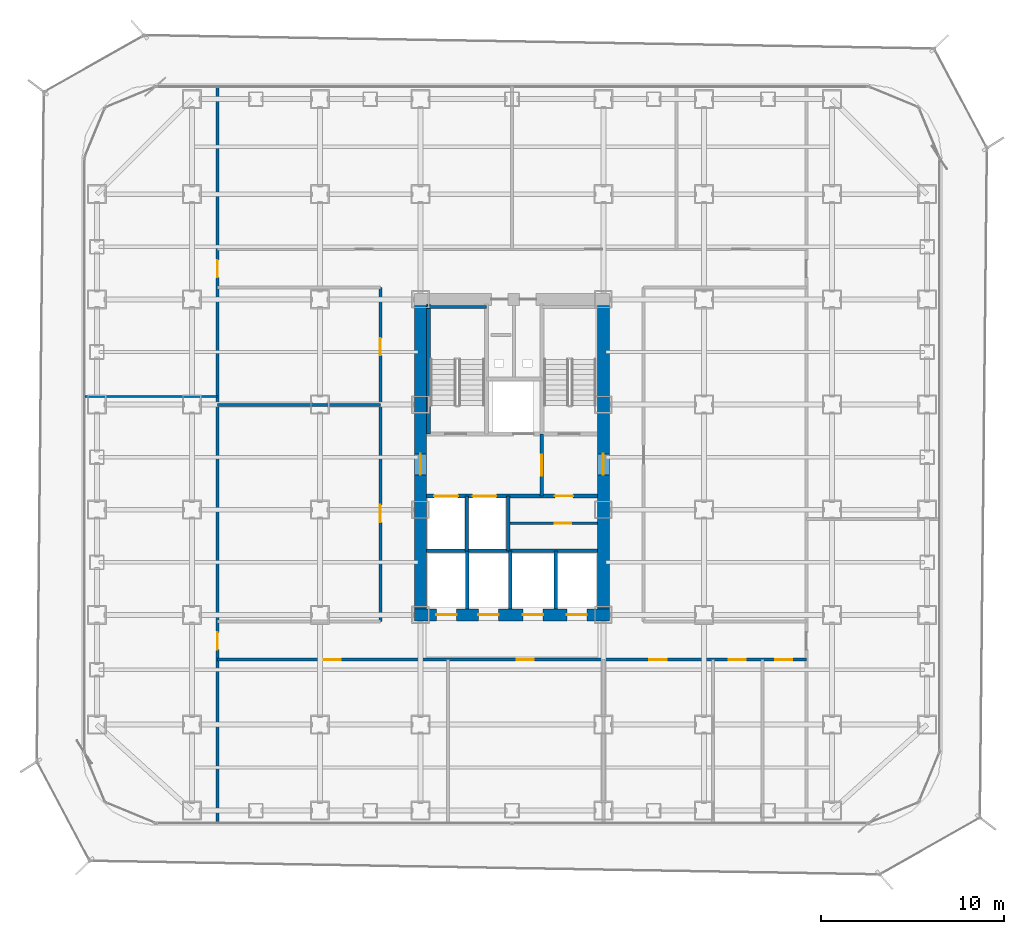
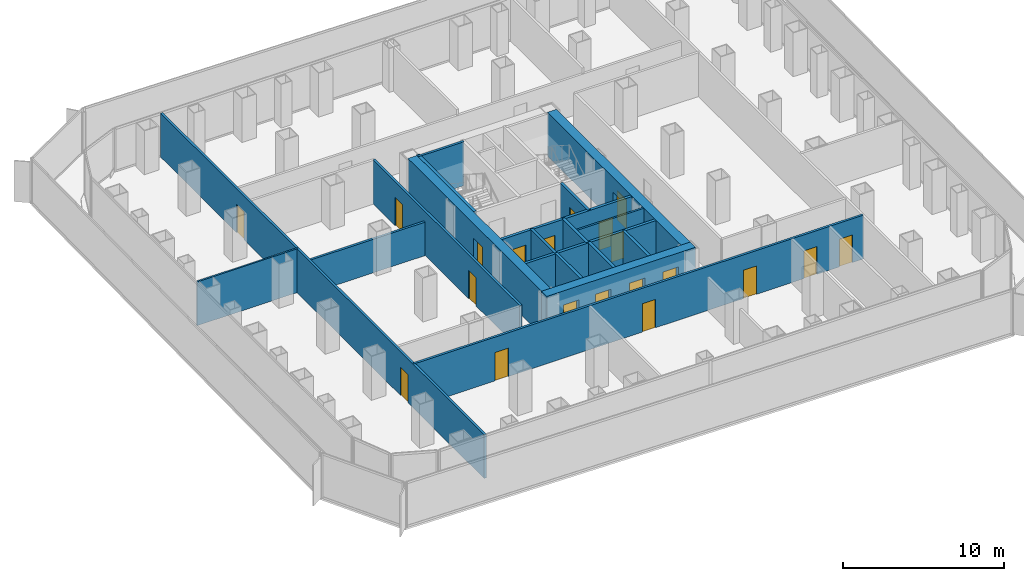
# One storey, part 17 of 21: 20 doors, 19 walls, 20 openings.
"""IFC4 building model written with IfcOpenShell, lengths in metres."""

import ifcopenshell
import ifcopenshell.guid

model = None  # the IFC model being written
_history = None  # IfcOwnerHistory: only IFC2X3 demands one
_inside = {}  # id of a spatial element -> (the spatial element, [elements in it])
_under = {}  # id of a project, library or spatial element -> (it, [spatial elements below it])
_declared = {}  # id of a project -> (the project, [libraries it declares])
_typed = {}  # id of a type object -> (the type object, [elements of that type])
_made_of = {}  # id of a material, layer set ... -> (it, [elements and type objects made of it])


def new_model(schema):
    """Start an empty IFC model of exactly this schema.

    Asked for "IFC4X3", IfcOpenShell would pick the latest addendum, in which some entities
    have other attributes; the version numbers below select the first issue.
    IFC2X3 requires an IfcOwnerHistory on every rooted entity: one is made here for all.
    """
    global model, _history
    if schema == "IFC4X3":
        model = ifcopenshell.file(schema_version=(4, 3, 0, 0))
    else:
        model = ifcopenshell.file(schema=schema)
    _inside.clear()
    _under.clear()
    _declared.clear()
    _typed.clear()
    _made_of.clear()
    _history = None
    if model.schema == "IFC2X3":
        org = make("IfcOrganization", Name="unknown")
        user = make(
            "IfcPersonAndOrganization",
            ThePerson=make("IfcPerson", FamilyName="unknown"),
            TheOrganization=org,
        )
        app = make(
            "IfcApplication",
            ApplicationDeveloper=org,
            Version="unknown",
            ApplicationFullName="unknown",
            ApplicationIdentifier="unknown",
        )
        _history = make(
            "IfcOwnerHistory",
            OwningUser=user,
            OwningApplication=app,
            ChangeAction="ADDED",
            CreationDate=0,
        )
    return model


def make(cls, **values):
    """One entity of the class cls with the attributes given. An attribute that is None is left unset."""
    return model.create_entity(
        cls, **{name: value for name, value in values.items() if value is not None}
    )


def rooted(cls, **values):
    """An entity with a GlobalId (a new one), such as an element, a storey or a relation."""
    return make(cls, GlobalId=ifcopenshell.guid.new(), OwnerHistory=_history, **values)


def si_unit(unit_type, name, prefix=None):
    """IfcSIUnit, for example si_unit("LENGTHUNIT", "METRE", prefix="MILLI")."""
    return make("IfcSIUnit", UnitType=unit_type, Prefix=prefix, Name=name)


def assignment(units):
    """IfcUnitAssignment: the units of a project."""
    return None if units is None else make("IfcUnitAssignment", Units=units)


def point(xyz):
    """IfcCartesianPoint."""
    return None if xyz is None else make("IfcCartesianPoint", Coordinates=xyz)


def direction(xyz):
    """IfcDirection."""
    return None if xyz is None else make("IfcDirection", DirectionRatios=xyz)


def frame(location, z_axis=None, x_axis=None):
    """IfcAxis2Placement3D, a coordinate frame: its origin and axes. An axis left out is left unset."""
    return make(
        "IfcAxis2Placement3D",
        Location=point(location),
        Axis=direction(z_axis),
        RefDirection=direction(x_axis),
    )


def frame_2d(location, x_axis=None):
    """IfcAxis2Placement2D, a coordinate frame in the plane: its origin and x axis."""
    return make(
        "IfcAxis2Placement2D", Location=point(location), RefDirection=direction(x_axis)
    )


def origin():
    """The frame at (0, 0, 0) with its axes left unset."""
    return frame((0.0, 0.0, 0.0))


def place(relative_to, where):
    """IfcLocalPlacement: puts the frame where relative to a parent placement (None: the world)."""
    return make(
        "IfcLocalPlacement", PlacementRelTo=relative_to, RelativePlacement=where
    )


def context(
    kind, dimensions, precision=None, world=None, true_north=None, identifier=None
):
    """IfcGeometricRepresentationContext, for example the 3D "Model" context."""
    return make(
        "IfcGeometricRepresentationContext",
        ContextIdentifier=identifier,
        ContextType=kind,
        CoordinateSpaceDimension=dimensions,
        Precision=precision,
        WorldCoordinateSystem=world,
        TrueNorth=true_north,
    )


def subcontext(parent, identifier, kind, view, scale=None):
    """IfcGeometricRepresentationSubContext, for example "Body" below "Model"."""
    return make(
        "IfcGeometricRepresentationSubContext",
        ContextIdentifier=identifier,
        ContextType=kind,
        ParentContext=parent,
        TargetScale=scale,
        TargetView=view,
    )


def project(units=None, contexts=None):
    """IfcProject with its units and contexts."""
    return rooted(
        "IfcProject",
        Name="project",
        RepresentationContexts=contexts,
        UnitsInContext=assignment(units),
    )


def spatial(cls, under=None, at=None, **own):
    """A site, building, storey or space (cls), placed at a placement, below another one or the project."""
    s = rooted(cls, ObjectPlacement=at, **own)
    if under is not None:
        _under.setdefault(under.id(), (under, []))[1].append(s)
    return s


def profile(cls, at=None, kind="AREA", **sizes):
    """A parametric profile (cls). Its sizes go by their IFC names, for example OverallWidth=200.0."""
    return make(cls, ProfileType=kind, Position=at, **sizes)


def rectangle(**sizes):
    """IfcRectangleProfileDef."""
    return profile("IfcRectangleProfileDef", **sizes)


def extrude(swept, where, along, depth):
    """IfcExtrudedAreaSolid: the profile swept, set in the frame where, extruded along a direction by depth."""
    return make(
        "IfcExtrudedAreaSolid",
        SweptArea=swept,
        Position=where,
        ExtrudedDirection=direction(along),
        Depth=depth,
    )


def shape(context_of_items, identifier, shape_type, items):
    """IfcShapeRepresentation: the items that make up one representation, for example the "Body"."""
    return make(
        "IfcShapeRepresentation",
        ContextOfItems=context_of_items,
        RepresentationIdentifier=identifier,
        RepresentationType=shape_type,
        Items=items,
    )


def material(Name=None, Category=None):
    """IfcMaterial."""
    return make("IfcMaterial", Name=Name, Category=Category)


def layer(
    of_material, thickness, ventilated=None, Name=None, Category=None, Priority=None
):
    """IfcMaterialLayer: one layer of a wall or slab, of a material (None: an air gap)."""
    return make(
        "IfcMaterialLayer",
        Material=of_material,
        LayerThickness=thickness,
        IsVentilated=ventilated,
        Name=Name,
        Category=Category,
        Priority=Priority,
    )


def layer_set(layers, Name=None):
    """IfcMaterialLayerSet."""
    return make("IfcMaterialLayerSet", MaterialLayers=layers, LayerSetName=Name)


def made_of(thing, what):
    """Note that an element or type object is made of a material, layer set ...; save() writes the relation."""
    if what is not None:
        _made_of.setdefault(what.id(), (what, []))[1].append(thing)
    return thing


def type_object(cls, material=None, **own):
    """A type object (cls), such as IfcWallType, which elements share."""
    return made_of(rooted(cls, **own), material)


def element(
    cls,
    number,
    at=None,
    inside=None,
    cuts=None,
    type_object=None,
    material=None,
    context=None,
    identifier="Body",
    shape_type=None,
    held_by="IfcProductDefinitionShape",
    body=None,
    shapes=None,
    **own,
):
    """One element of the class cls, such as IfcWall. Its Tag is "e" and its number.

    at: its placement. inside: the storey or other place that contains it. cuts: it is an
    opening in that element (IfcRelVoidsElement). A single representation is given by context,
    identifier, shape_type and body (its items); several are given by shapes. held_by: the class
    of the entity that holds the representations. save() writes the other relations.
    """
    e = rooted(cls, Tag="e%d" % number, ObjectPlacement=at, **own)
    if body is not None:
        shapes = [shape(context, identifier, shape_type, body)]
    if shapes is not None:
        e.Representation = make(held_by, Representations=shapes)
    if inside is not None:
        _inside.setdefault(inside.id(), (inside, []))[1].append(e)
    if cuts is not None:
        rooted(
            "IfcRelVoidsElement", RelatingBuildingElement=cuts, RelatedOpeningElement=e
        )
    if type_object is not None:
        _typed.setdefault(type_object.id(), (type_object, []))[1].append(e)
    return made_of(e, material)


def fill(opening, filler):
    """IfcRelFillsElement: the door or window that sits in an opening."""
    return rooted(
        "IfcRelFillsElement",
        RelatingOpeningElement=opening,
        RelatedBuildingElement=filler,
    )


def aggregate(whole, parts):
    """IfcRelAggregates: a whole, such as a stair, and the parts it consists of."""
    return rooted("IfcRelAggregates", RelatingObject=whole, RelatedObjects=parts)


def save(model, path):
    """Write the relations noted so far, then the file.

    IfcRelAggregates (storeys below a building ...), IfcRelContainedInSpatialStructure (elements
    in a storey), IfcRelDefinesByType, IfcRelAssociatesMaterial and IfcRelDeclares: one each for
    every whole, place, type object, material and project.
    """
    for whole, parts in _under.values():
        aggregate(whole, parts)
    for where, things in _inside.values():
        rooted(
            "IfcRelContainedInSpatialStructure",
            RelatedElements=things,
            RelatingStructure=where,
        )
    for kind, things in _typed.values():
        rooted("IfcRelDefinesByType", RelatedObjects=things, RelatingType=kind)
    for what, things in _made_of.values():
        rooted("IfcRelAssociatesMaterial", RelatedObjects=things, RelatingMaterial=what)
    for by, libraries in _declared.values():
        rooted("IfcRelDeclares", RelatingContext=by, RelatedDefinitions=libraries)
    model.write(path)


model = new_model("IFC4")

# Units and contexts
model_context = context("Model", 3, precision=1e-05, world=origin(), true_north=direction((0.0, 1.0)))
body_context = subcontext(model_context, "Body", "Model", "MODEL_VIEW")
ifc_project = project(units=[si_unit("LENGTHUNIT", "METRE"), si_unit("AREAUNIT", "SQUARE_METRE"), si_unit("VOLUMEUNIT", "CUBIC_METRE"), si_unit("PLANEANGLEUNIT", "RADIAN"), si_unit("MASSUNIT", "GRAM", prefix="KILO")], contexts=[model_context])

# Site, building, storey
site_placement = place(None, origin())
site = spatial("IfcSite", under=ifc_project, at=site_placement, CompositionType="ELEMENT")
building_placement = place(site_placement, origin())
building = spatial("IfcBuilding", under=site, at=building_placement, Name="Kolveth Station Tower", CompositionType="ELEMENT")
storey_placement = place(building_placement, frame((0.0, 0.0, 40.5)))
storey = spatial("IfcBuildingStorey", under=building, at=storey_placement, Name="L10", CompositionType="ELEMENT", Elevation=40.5)

# Wall, openings, doors
ifc_material_1 = material(Name="Concrete C60/75", Category="concrete")
ifc_layer_1 = layer(ifc_material_1, 0.64990234375)
ifc_layer_set_1 = layer_set([ifc_layer_1], Name="Concrete C60/75")
wall_type_1 = type_object("IfcWallType", Name="Wall_CW-650", PredefinedType="SHEAR", material=ifc_layer_set_1)
wall_1_placement = place(storey_placement, frame((18.175048828125, 11.5, 0.0), z_axis=(0.0, 0.0, 1.0), x_axis=(1.0, 0.0, 0.0)))
wall_1 = element("IfcWall", 1, at=wall_1_placement, inside=storey, type_object=wall_type_1, Name="L10 Core RC Shear Wall S", PredefinedType="SHEAR", context=body_context, shape_type="SweptSolid", body=[
    extrude(rectangle(XDim=10.64990234375, YDim=0.64990234375, at=frame_2d((5.324951171875, 0.0))), origin(), (0.0, 0.0, 1.0), 3.320068359375),
])
opening_1_placement = place(wall_1_placement, frame((1.195068359375, 0.0, 0.0)))
opening_1 = element("IfcOpeningElement", 2, at=opening_1_placement, cuts=wall_1, Name="Opening LD1", PredefinedType="OPENING", context=body_context, shape_type="SweptSolid", body=[
    extrude(rectangle(XDim=1.10009765625, YDim=2.25, at=frame_2d((0.550048828125, 1.125))), frame((0.0, 0.3349609375, 0.0), z_axis=(0.0, -1.0, 0.0), x_axis=(1.0, 0.0, 0.0)), (0.0, 0.0, 1.0), 0.669921875),
])
opening_2_placement = place(wall_1_placement, frame((3.4951171875, 0.0, 0.0)))
opening_2 = element("IfcOpeningElement", 3, at=opening_2_placement, cuts=wall_1, Name="Opening LD1", PredefinedType="OPENING", context=body_context, shape_type="SweptSolid", body=[
    extrude(rectangle(XDim=1.10009765625, YDim=2.25, at=frame_2d((0.550048828125, 1.125))), frame((0.0, 0.3349609375, 0.0), z_axis=(0.0, -1.0, 0.0), x_axis=(1.0, 0.0, 0.0)), (0.0, 0.0, 1.0), 0.669921875),
])
opening_3_placement = place(wall_1_placement, frame((5.925048828125, 0.0, 0.0)))
opening_3 = element("IfcOpeningElement", 4, at=opening_3_placement, cuts=wall_1, Name="Opening LD1", PredefinedType="OPENING", context=body_context, shape_type="SweptSolid", body=[
    extrude(rectangle(XDim=1.10009765625, YDim=2.25, at=frame_2d((0.550048828125, 1.125))), frame((0.0, 0.3349609375, 0.0), z_axis=(0.0, -1.0, 0.0), x_axis=(1.0, 0.0, 0.0)), (0.0, 0.0, 1.0), 0.669921875),
])
opening_4_placement = place(wall_1_placement, frame((8.324951171875, 0.0, 0.0)))
opening_4 = element("IfcOpeningElement", 5, at=opening_4_placement, cuts=wall_1, Name="Opening LD1", PredefinedType="OPENING", context=body_context, shape_type="SweptSolid", body=[
    extrude(rectangle(XDim=1.10009765625, YDim=2.25, at=frame_2d((0.550048828125, 1.125))), frame((0.0, 0.3349609375, 0.0), z_axis=(0.0, -1.0, 0.0), x_axis=(1.0, 0.0, 0.0)), (0.0, 0.0, 1.0), 0.669921875),
])
ifc_material_2 = material(Name="Brushed stainless steel sliding landing doors", Category="steel")
door_type_1 = type_object("IfcDoorType", Name="Door_LD1", OperationType="NOTDEFINED", PredefinedType="DOOR", material=ifc_material_2)
door_1_placement = place(opening_1_placement, frame((1.10009765625, 0.0, 0.0), z_axis=(0.0, 0.0, 1.0), x_axis=(-1.0, 0.0, 0.0)))
door_1 = element("IfcDoor", 6, at=door_1_placement, inside=storey, type_object=door_type_1, Name="L10 Lift PL1 Landing Door", OperationType="DOUBLE_DOOR_SLIDING", OverallHeight=2.25, OverallWidth=1.10009765625, PredefinedType="DOOR", context=body_context, shape_type="SweptSolid", body=[
    extrude(rectangle(XDim=1.10009765625, YDim=2.25, at=frame_2d((0.550048828125, 1.125))), frame((0.0, 0.02490234375, 0.0), z_axis=(0.0, -1.0, 0.0), x_axis=(1.0, 0.0, 0.0)), (0.0, 0.0, 1.0), 0.050048828125),
])
fill(opening_1, door_1)
door_2_placement = place(opening_2_placement, frame((1.10009765625, 0.0, 0.0), z_axis=(0.0, 0.0, 1.0), x_axis=(-1.0, 0.0, 0.0)))
door_2 = element("IfcDoor", 7, at=door_2_placement, inside=storey, type_object=door_type_1, Name="L10 Lift PL2 Landing Door", OperationType="DOUBLE_DOOR_SLIDING", OverallHeight=2.25, OverallWidth=1.10009765625, PredefinedType="DOOR", context=body_context, shape_type="SweptSolid", body=[
    extrude(rectangle(XDim=1.10009765625, YDim=2.25, at=frame_2d((0.550048828125, 1.125))), frame((0.0, 0.02490234375, 0.0), z_axis=(0.0, -1.0, 0.0), x_axis=(1.0, 0.0, 0.0)), (0.0, 0.0, 1.0), 0.050048828125),
])
fill(opening_2, door_2)
door_3_placement = place(opening_3_placement, frame((1.10009765625, 0.0, 0.0), z_axis=(0.0, 0.0, 1.0), x_axis=(-1.0, 0.0, 0.0)))
door_3 = element("IfcDoor", 8, at=door_3_placement, inside=storey, type_object=door_type_1, Name="L10 Lift PM1 Landing Door", OperationType="DOUBLE_DOOR_SLIDING", OverallHeight=2.25, OverallWidth=1.10009765625, PredefinedType="DOOR", context=body_context, shape_type="SweptSolid", body=[
    extrude(rectangle(XDim=1.10009765625, YDim=2.25, at=frame_2d((0.550048828125, 1.125))), frame((0.0, 0.02490234375, 0.0), z_axis=(0.0, -1.0, 0.0), x_axis=(1.0, 0.0, 0.0)), (0.0, 0.0, 1.0), 0.050048828125),
])
fill(opening_3, door_3)
door_4_placement = place(opening_4_placement, frame((1.10009765625, 0.0, 0.0), z_axis=(0.0, 0.0, 1.0), x_axis=(-1.0, 0.0, 0.0)))
door_4 = element("IfcDoor", 9, at=door_4_placement, inside=storey, type_object=door_type_1, Name="L10 Lift PH1 Landing Door", OperationType="DOUBLE_DOOR_SLIDING", OverallHeight=2.25, OverallWidth=1.10009765625, PredefinedType="DOOR", context=body_context, shape_type="SweptSolid", body=[
    extrude(rectangle(XDim=1.10009765625, YDim=2.25, at=frame_2d((0.550048828125, 1.125))), frame((0.0, 0.02490234375, 0.0), z_axis=(0.0, -1.0, 0.0), x_axis=(1.0, 0.0, 0.0)), (0.0, 0.0, 1.0), 0.050048828125),
])
fill(opening_4, door_4)

# Wall, opening, door
wall_2_placement = place(storey_placement, frame((18.5, 11.824951171875, 0.0), z_axis=(0.0, 0.0, 1.0), x_axis=(0.0, 1.0, 0.0)))
wall_2 = element("IfcWall", 10, at=wall_2_placement, inside=storey, type_object=wall_type_1, Name="L10 Core RC Shear Wall W", PredefinedType="SHEAR", context=body_context, shape_type="SweptSolid", body=[
    extrude(rectangle(XDim=16.60009765625, YDim=0.64990234375, at=frame_2d((8.300048828125, 0.0))), origin(), (0.0, 0.0, 1.0), 3.320068359375),
])
opening_5_placement = place(wall_2_placement, frame((7.324951171875, 0.0, 0.0)))
opening_5 = element("IfcOpeningElement", 11, at=opening_5_placement, cuts=wall_2, Name="Opening FD1", PredefinedType="OPENING", context=body_context, shape_type="SweptSolid", body=[
    extrude(rectangle(XDim=1.14990234375, YDim=2.199951171875, at=frame_2d((0.574951171875, 1.10009765625))), frame((0.0, 0.3349609375, 0.0), z_axis=(0.0, -1.0, 0.0), x_axis=(1.0, 0.0, 0.0)), (0.0, 0.0, 1.0), 0.669921875),
])
ifc_material_3 = material(Name="Fire-rated Steel S355 leaf and frame", Category="steel")
door_type_2 = type_object("IfcDoorType", Name="Door_FD1", OperationType="NOTDEFINED", PredefinedType="DOOR", material=ifc_material_3)
door_5_placement = place(opening_5_placement, frame((1.14990234375, 0.0, 0.0), z_axis=(0.0, 0.0, 1.0), x_axis=(-1.0, 0.0, 0.0)))
door_5 = element("IfcDoor", 12, at=door_5_placement, inside=storey, type_object=door_type_2, Name="L10 West Corridor to Firefighting Lobby Door", OperationType="SINGLE_SWING_LEFT", OverallHeight=2.199951171875, OverallWidth=1.14990234375, PredefinedType="DOOR", context=body_context, shape_type="SweptSolid", body=[
    extrude(rectangle(XDim=1.14990234375, YDim=2.199951171875, at=frame_2d((0.574951171875, 1.10009765625))), frame((0.0, 0.02490234375, 0.0), z_axis=(0.0, -1.0, 0.0), x_axis=(1.0, 0.0, 0.0)), (0.0, 0.0, 1.0), 0.050048828125),
])
fill(opening_5, door_5)

wall_3_placement = place(storey_placement, frame((28.5, 11.824951171875, 0.0), z_axis=(0.0, 0.0, 1.0), x_axis=(0.0, 1.0, 0.0)))
wall_3 = element("IfcWall", 13, at=wall_3_placement, inside=storey, type_object=wall_type_1, Name="L10 Core RC Shear Wall E", PredefinedType="SHEAR", context=body_context, shape_type="SweptSolid", body=[
    extrude(rectangle(XDim=16.60009765625, YDim=0.64990234375, at=frame_2d((8.300048828125, 0.0))), origin(), (0.0, 0.0, 1.0), 3.320068359375),
])
opening_6_placement = place(wall_3_placement, frame((7.324951171875, 0.0, 0.0)))
opening_6 = element("IfcOpeningElement", 14, at=opening_6_placement, cuts=wall_3, Name="Opening FD1", PredefinedType="OPENING", context=body_context, shape_type="SweptSolid", body=[
    extrude(rectangle(XDim=1.14990234375, YDim=2.199951171875, at=frame_2d((0.574951171875, 1.10009765625))), frame((0.0, 0.3349609375, 0.0), z_axis=(0.0, -1.0, 0.0), x_axis=(1.0, 0.0, 0.0)), (0.0, 0.0, 1.0), 0.669921875),
])
door_6_placement = place(opening_6_placement, origin())
door_6 = element("IfcDoor", 15, at=door_6_placement, inside=storey, type_object=door_type_2, Name="L10 East Corridor to Stair Lobby Door", OperationType="SINGLE_SWING_LEFT", OverallHeight=2.199951171875, OverallWidth=1.14990234375, PredefinedType="DOOR", context=body_context, shape_type="SweptSolid", body=[
    extrude(rectangle(XDim=1.14990234375, YDim=2.199951171875, at=frame_2d((0.574951171875, 1.10009765625))), frame((0.0, 0.02490234375, 0.0), z_axis=(0.0, -1.0, 0.0), x_axis=(1.0, 0.0, 0.0)), (0.0, 0.0, 1.0), 0.050048828125),
])
fill(opening_6, door_6)

# Wall
ifc_material_4 = material(Name="Framed gypsum partition")
ifc_layer_2 = layer(ifc_material_4, 0.114990234375)
ifc_layer_set_2 = layer_set([ifc_layer_2], Name="Framed gypsum partition")
wall_type_2 = type_object("IfcWallType", Name="Wall_IW-115", PredefinedType="PARTITIONING", material=ifc_layer_set_2)
wall_4_placement = place(storey_placement, frame((0.159912109375, 23.449951171875, 0.0), z_axis=(0.0, 0.0, 1.0), x_axis=(1.0, 0.0, 0.0)))
element("IfcWall", 16, at=wall_4_placement, inside=storey, type_object=wall_type_2, Name="L10 Partition Wall WL-L10-OWM", PredefinedType="PARTITIONING", context=body_context, shape_type="SweptSolid", body=[
    extrude(rectangle(XDim=7.239990234375, YDim=0.114990234375, at=frame_2d((3.6201171875, 0.0))), origin(), (0.0, 0.0, 1.0), 3.320068359375),
])

# Wall, opening, door
ifc_material_5 = material(Name="Moisture-resistant gypsum partition")
ifc_layer_3 = layer(ifc_material_5, 0.135009765625)
ifc_layer_set_3 = layer_set([ifc_layer_3], Name="Moisture-resistant gypsum partition")
wall_type_3 = type_object("IfcWallType", Name="Wall_IW-135", PredefinedType="PARTITIONING", material=ifc_layer_set_3)
wall_5_placement = place(storey_placement, frame((23.300048828125, 16.5, 0.0), z_axis=(0.0, 0.0, 1.0), x_axis=(1.0, 0.0, 0.0)))
wall_5 = element("IfcWall", 17, at=wall_5_placement, inside=storey, type_object=wall_type_3, Name="L10 Partition Wall WL-L10-CB-H1", PredefinedType="PARTITIONING", context=body_context, shape_type="SweptSolid", body=[
    extrude(rectangle(XDim=4.864990234375, YDim=0.135009765625, at=frame_2d((2.4326171875, 0.0))), origin(), (0.0, 0.0, 1.0), 3.320068359375),
])
opening_7_placement = place(wall_5_placement, frame((2.550048828125, 0.0, 0.0)))
opening_7 = element("IfcOpeningElement", 18, at=opening_7_placement, cuts=wall_5, Name="Opening RD1", PredefinedType="OPENING", context=body_context, shape_type="SweptSolid", body=[
    extrude(rectangle(XDim=0.89990234375, YDim=2.050048828125, at=frame_2d((0.449951171875, 1.02490234375))), frame((0.0, 0.077392578125, 0.0), z_axis=(0.0, -1.0, 0.0), x_axis=(1.0, 0.0, 0.0)), (0.0, 0.0, 1.0), 0.155029296875),
])
ifc_material_6 = material(Name="Fire-rated Steel S355 riser access leaf", Category="steel")
door_type_3 = type_object("IfcDoorType", Name="Door_RD1", OperationType="NOTDEFINED", PredefinedType="DOOR", material=ifc_material_6)
door_7_placement = place(opening_7_placement, frame((0.89990234375, 0.0, 0.0), z_axis=(0.0, 0.0, 1.0), x_axis=(-1.0, 0.0, 0.0)))
door_7 = element("IfcDoor", 19, at=door_7_placement, inside=storey, type_object=door_type_3, Name="L10 Core Equipment Store Door", OperationType="SINGLE_SWING_LEFT", OverallHeight=2.050048828125, OverallWidth=0.89990234375, PredefinedType="DOOR", context=body_context, shape_type="SweptSolid", body=[
    extrude(rectangle(XDim=0.89990234375, YDim=2.050048828125, at=frame_2d((0.449951171875, 1.02490234375))), frame((0.0, 0.02490234375, 0.0), z_axis=(0.0, -1.0, 0.0), x_axis=(1.0, 0.0, 0.0)), (0.0, 0.0, 1.0), 0.050048828125),
])
fill(opening_7, door_7)

# Wall
ifc_material_7 = material(Name="Acoustic double-stud gypsum partition")
ifc_layer_4 = layer(ifc_material_7, 0.1650390625)
ifc_layer_set_4 = layer_set([ifc_layer_4], Name="Acoustic double-stud gypsum partition")
wall_type_4 = type_object("IfcWallType", Name="Wall_IW-165", PredefinedType="PARTITIONING", material=ifc_layer_set_4)
wall_6_placement = place(storey_placement, frame((18.8349609375, 28.3349609375, 0.0), z_axis=(0.0, 0.0, 1.0), x_axis=(1.0, 0.0, 0.0)))
element("IfcWall", 20, at=wall_6_placement, inside=storey, type_object=wall_type_4, Name="L10 Stair Shaft Wall WL-L10-ST1-N", PredefinedType="PARTITIONING", context=body_context, shape_type="SweptSolid", body=[
    extrude(rectangle(XDim=3.275146484375, YDim=0.1650390625, at=frame_2d((1.6376953125, 0.0))), origin(), (0.0, 0.0, 1.0), 3.320068359375),
])

# Wall, openings, doors
wall_7_placement = place(storey_placement, frame((7.39990234375, 9.050048828125, 0.0), z_axis=(0.0, 0.0, 1.0), x_axis=(1.0, 0.0, 0.0)))
wall_7 = element("IfcWall", 21, at=wall_7_placement, inside=storey, type_object=wall_type_4, Name="L10 Partition Wall WL-L10-OS", PredefinedType="PARTITIONING", context=body_context, shape_type="SweptSolid", body=[
    extrude(rectangle(XDim=32.2001953125, YDim=0.1650390625, at=frame_2d((16.10009765625, 0.0))), origin(), (0.0, 0.0, 1.0), 3.320068359375),
])
opening_8_placement = place(wall_7_placement, frame((5.800048828125, 0.0, 0.0)))
opening_8 = element("IfcOpeningElement", 22, at=opening_8_placement, cuts=wall_7, Name="Opening ID1", PredefinedType="OPENING", context=body_context, shape_type="SweptSolid", body=[
    extrude(rectangle(XDim=0.949951171875, YDim=2.14990234375, at=frame_2d((0.47509765625, 1.074951171875))), frame((0.0, 0.092529296875, 0.0), z_axis=(0.0, -1.0, 0.0), x_axis=(1.0, 0.0, 0.0)), (0.0, 0.0, 1.0), 0.18505859375),
])
opening_9_placement = place(wall_7_placement, frame((16.35009765625, 0.0, 0.0)))
opening_9 = element("IfcOpeningElement", 23, at=opening_9_placement, cuts=wall_7, Name="Opening ID1", PredefinedType="OPENING", context=body_context, shape_type="SweptSolid", body=[
    extrude(rectangle(XDim=0.949951171875, YDim=2.14990234375, at=frame_2d((0.47509765625, 1.074951171875))), frame((0.0, 0.092529296875, 0.0), z_axis=(0.0, -1.0, 0.0), x_axis=(1.0, 0.0, 0.0)), (0.0, 0.0, 1.0), 0.18505859375),
])
opening_10_placement = place(wall_7_placement, frame((23.60009765625, 0.0, 0.0)))
opening_10 = element("IfcOpeningElement", 24, at=opening_10_placement, cuts=wall_7, Name="Opening ID1", PredefinedType="OPENING", context=body_context, shape_type="SweptSolid", body=[
    extrude(rectangle(XDim=0.949951171875, YDim=2.14990234375, at=frame_2d((0.47509765625, 1.074951171875))), frame((0.0, 0.092529296875, 0.0), z_axis=(0.0, -1.0, 0.0), x_axis=(1.0, 0.0, 0.0)), (0.0, 0.0, 1.0), 0.18505859375),
])
opening_11_placement = place(wall_7_placement, frame((27.949951171875, 0.0, 0.0)))
opening_11 = element("IfcOpeningElement", 25, at=opening_11_placement, cuts=wall_7, Name="Opening ID2", PredefinedType="OPENING", context=body_context, shape_type="SweptSolid", body=[
    extrude(rectangle(XDim=0.919921875, YDim=2.10009765625, at=frame_2d((0.4599609375, 1.050048828125))), frame((0.0, 0.092529296875, 0.0), z_axis=(0.0, -1.0, 0.0), x_axis=(1.0, 0.0, 0.0)), (0.0, 0.0, 1.0), 0.18505859375),
])
opening_12_placement = place(wall_7_placement, frame((30.5, 0.0, 0.0)))
opening_12 = element("IfcOpeningElement", 26, at=opening_12_placement, cuts=wall_7, Name="Opening ID2", PredefinedType="OPENING", context=body_context, shape_type="SweptSolid", body=[
    extrude(rectangle(XDim=0.919921875, YDim=2.10009765625, at=frame_2d((0.4599609375, 1.050048828125))), frame((0.0, 0.092529296875, 0.0), z_axis=(0.0, -1.0, 0.0), x_axis=(1.0, 0.0, 0.0)), (0.0, 0.0, 1.0), 0.18505859375),
])
ifc_material_8 = material(Name="Acoustic hardwood leaf and aluminium frame", Category="wood")
door_type_4 = type_object("IfcDoorType", Name="Door_ID1", OperationType="NOTDEFINED", PredefinedType="DOOR", material=ifc_material_8)
door_8_placement = place(opening_8_placement, frame((0.949951171875, 0.0, 0.0), z_axis=(0.0, 0.0, 1.0), x_axis=(-1.0, 0.0, 0.0)))
door_8 = element("IfcDoor", 27, at=door_8_placement, inside=storey, type_object=door_type_4, Name="L10 Conference Salon A Door", OperationType="SINGLE_SWING_RIGHT", OverallHeight=2.14990234375, OverallWidth=0.949951171875, PredefinedType="DOOR", context=body_context, shape_type="SweptSolid", body=[
    extrude(rectangle(XDim=0.949951171875, YDim=2.14990234375, at=frame_2d((0.47509765625, 1.074951171875))), frame((0.0, 0.02490234375, 0.0), z_axis=(0.0, -1.0, 0.0), x_axis=(1.0, 0.0, 0.0)), (0.0, 0.0, 1.0), 0.050048828125),
])
fill(opening_8, door_8)
door_9_placement = place(opening_9_placement, frame((0.949951171875, 0.0, 0.0), z_axis=(0.0, 0.0, 1.0), x_axis=(-1.0, 0.0, 0.0)))
door_9 = element("IfcDoor", 28, at=door_9_placement, inside=storey, type_object=door_type_4, Name="L10 Conference Salon B Door", OperationType="SINGLE_SWING_LEFT", OverallHeight=2.14990234375, OverallWidth=0.949951171875, PredefinedType="DOOR", context=body_context, shape_type="SweptSolid", body=[
    extrude(rectangle(XDim=0.949951171875, YDim=2.14990234375, at=frame_2d((0.47509765625, 1.074951171875))), frame((0.0, 0.02490234375, 0.0), z_axis=(0.0, -1.0, 0.0), x_axis=(1.0, 0.0, 0.0)), (0.0, 0.0, 1.0), 0.050048828125),
])
fill(opening_9, door_9)
door_10_placement = place(opening_10_placement, frame((0.949951171875, 0.0, 0.0), z_axis=(0.0, 0.0, 1.0), x_axis=(-1.0, 0.0, 0.0)))
door_10 = element("IfcDoor", 29, at=door_10_placement, inside=storey, type_object=door_type_4, Name="L10 Breakout Lounge Door", OperationType="SINGLE_SWING_RIGHT", OverallHeight=2.14990234375, OverallWidth=0.949951171875, PredefinedType="DOOR", context=body_context, shape_type="SweptSolid", body=[
    extrude(rectangle(XDim=0.949951171875, YDim=2.14990234375, at=frame_2d((0.47509765625, 1.074951171875))), frame((0.0, 0.02490234375, 0.0), z_axis=(0.0, -1.0, 0.0), x_axis=(1.0, 0.0, 0.0)), (0.0, 0.0, 1.0), 0.050048828125),
])
fill(opening_10, door_10)
ifc_material_9 = material(Name="Moisture-resistant hardwood leaf", Category="wood")
door_type_5 = type_object("IfcDoorType", Name="Door_ID2", OperationType="NOTDEFINED", PredefinedType="DOOR", material=ifc_material_9)
door_11_placement = place(opening_11_placement, frame((0.919921875, 0.0, 0.0), z_axis=(0.0, 0.0, 1.0), x_axis=(-1.0, 0.0, 0.0)))
door_11 = element("IfcDoor", 30, at=door_11_placement, inside=storey, type_object=door_type_5, Name="L10 Staff Toilet Door", OperationType="SINGLE_SWING_LEFT", OverallHeight=2.10009765625, OverallWidth=0.919921875, PredefinedType="DOOR", context=body_context, shape_type="SweptSolid", body=[
    extrude(rectangle(XDim=0.919921875, YDim=2.10009765625, at=frame_2d((0.4599609375, 1.050048828125))), frame((0.0, 0.02490234375, 0.0), z_axis=(0.0, -1.0, 0.0), x_axis=(1.0, 0.0, 0.0)), (0.0, 0.0, 1.0), 0.050048828125),
])
fill(opening_11, door_11)
door_12_placement = place(opening_12_placement, frame((0.919921875, 0.0, 0.0), z_axis=(0.0, 0.0, 1.0), x_axis=(-1.0, 0.0, 0.0)))
door_12 = element("IfcDoor", 31, at=door_12_placement, inside=storey, type_object=door_type_5, Name="L10 Accessible WC Door", OperationType="SINGLE_SWING_RIGHT", OverallHeight=2.10009765625, OverallWidth=0.919921875, PredefinedType="DOOR", context=body_context, shape_type="SweptSolid", body=[
    extrude(rectangle(XDim=0.919921875, YDim=2.10009765625, at=frame_2d((0.4599609375, 1.050048828125))), frame((0.0, 0.02490234375, 0.0), z_axis=(0.0, -1.0, 0.0), x_axis=(1.0, 0.0, 0.0)), (0.0, 0.0, 1.0), 0.050048828125),
])
fill(opening_12, door_12)

wall_8_placement = place(storey_placement, frame((16.300048828125, 11.14990234375, 0.0), z_axis=(0.0, 0.0, 1.0), x_axis=(0.0, 1.0, 0.0)))
wall_8 = element("IfcWall", 32, at=wall_8_placement, inside=storey, type_object=wall_type_4, Name="L10 Partition Wall WL-L10-OCW", PredefinedType="PARTITIONING", context=body_context, shape_type="SweptSolid", body=[
    extrude(rectangle(XDim=18.25, YDim=0.1650390625, at=frame_2d((9.125, 0.0))), origin(), (0.0, 0.0, 1.0), 3.320068359375),
])
opening_13_placement = place(wall_8_placement, frame((5.408935546875, 0.0, 0.0)))
opening_13 = element("IfcOpeningElement", 33, at=opening_13_placement, cuts=wall_8, Name="Opening ID1", PredefinedType="OPENING", context=body_context, shape_type="SweptSolid", body=[
    extrude(rectangle(XDim=0.949951171875, YDim=2.14990234375, at=frame_2d((0.47509765625, 1.074951171875))), frame((0.0, 0.092529296875, 0.0), z_axis=(0.0, -1.0, 0.0), x_axis=(1.0, 0.0, 0.0)), (0.0, 0.0, 1.0), 0.18505859375),
])
opening_14_placement = place(wall_8_placement, frame((14.533935546875, 0.0, 0.0)))
opening_14 = element("IfcOpeningElement", 34, at=opening_14_placement, cuts=wall_8, Name="Opening ID1", PredefinedType="OPENING", context=body_context, shape_type="SweptSolid", body=[
    extrude(rectangle(XDim=0.949951171875, YDim=2.14990234375, at=frame_2d((0.47509765625, 1.074951171875))), frame((0.0, 0.092529296875, 0.0), z_axis=(0.0, -1.0, 0.0), x_axis=(1.0, 0.0, 0.0)), (0.0, 0.0, 1.0), 0.18505859375),
])
door_13_placement = place(opening_13_placement, frame((0.949951171875, 0.0, 0.0), z_axis=(0.0, 0.0, 1.0), x_axis=(-1.0, 0.0, 0.0)))
door_13 = element("IfcDoor", 35, at=door_13_placement, inside=storey, type_object=door_type_4, Name="L10 Internal Meeting Room W1 Door", OperationType="SINGLE_SWING_RIGHT", OverallHeight=2.14990234375, OverallWidth=0.949951171875, PredefinedType="DOOR", context=body_context, shape_type="SweptSolid", body=[
    extrude(rectangle(XDim=0.949951171875, YDim=2.14990234375, at=frame_2d((0.47509765625, 1.074951171875))), frame((0.0, 0.02490234375, 0.0), z_axis=(0.0, -1.0, 0.0), x_axis=(1.0, 0.0, 0.0)), (0.0, 0.0, 1.0), 0.050048828125),
])
fill(opening_13, door_13)
door_14_placement = place(opening_14_placement, frame((0.949951171875, 0.0, 0.0), z_axis=(0.0, 0.0, 1.0), x_axis=(-1.0, 0.0, 0.0)))
door_14 = element("IfcDoor", 36, at=door_14_placement, inside=storey, type_object=door_type_4, Name="L10 Print and Archive Room Door", OperationType="SINGLE_SWING_LEFT", OverallHeight=2.14990234375, OverallWidth=0.949951171875, PredefinedType="DOOR", context=body_context, shape_type="SweptSolid", body=[
    extrude(rectangle(XDim=0.949951171875, YDim=2.14990234375, at=frame_2d((0.47509765625, 1.074951171875))), frame((0.0, 0.02490234375, 0.0), z_axis=(0.0, -1.0, 0.0), x_axis=(1.0, 0.0, 0.0)), (0.0, 0.0, 1.0), 0.050048828125),
])
fill(opening_14, door_14)

wall_9_placement = place(storey_placement, frame((7.39990234375, 0.159912109375, 0.0), z_axis=(0.0, 0.0, 1.0), x_axis=(0.0, 1.0, 0.0)))
wall_9 = element("IfcWall", 37, at=wall_9_placement, inside=storey, type_object=wall_type_4, Name="L10 Partition Wall WL-L10-OWEND", PredefinedType="PARTITIONING", context=body_context, shape_type="SweptSolid", body=[
    extrude(rectangle(XDim=40.18017578125, YDim=0.1650390625, at=frame_2d((20.090087890625, 0.0))), origin(), (0.0, 0.0, 1.0), 3.320068359375),
])
opening_15_placement = place(wall_9_placement, frame((9.43994140625, 0.0, 0.0)))
opening_15 = element("IfcOpeningElement", 38, at=opening_15_placement, cuts=wall_9, Name="Opening ID1", PredefinedType="OPENING", context=body_context, shape_type="SweptSolid", body=[
    extrude(rectangle(XDim=0.949951171875, YDim=2.14990234375, at=frame_2d((0.47509765625, 1.074951171875))), frame((0.0, 0.092529296875, 0.0), z_axis=(0.0, -1.0, 0.0), x_axis=(1.0, 0.0, 0.0)), (0.0, 0.0, 1.0), 0.18505859375),
])
opening_16_placement = place(wall_9_placement, frame((29.7900390625, 0.0, 0.0)))
opening_16 = element("IfcOpeningElement", 39, at=opening_16_placement, cuts=wall_9, Name="Opening ID1", PredefinedType="OPENING", context=body_context, shape_type="SweptSolid", body=[
    extrude(rectangle(XDim=0.949951171875, YDim=2.14990234375, at=frame_2d((0.47509765625, 1.074951171875))), frame((0.0, 0.092529296875, 0.0), z_axis=(0.0, -1.0, 0.0), x_axis=(1.0, 0.0, 0.0)), (0.0, 0.0, 1.0), 0.18505859375),
])
door_15_placement = place(opening_15_placement, frame((0.949951171875, 0.0, 0.0), z_axis=(0.0, 0.0, 1.0), x_axis=(-1.0, 0.0, 0.0)))
door_15 = element("IfcDoor", 40, at=door_15_placement, inside=storey, type_object=door_type_4, Name="L10 West-South Wing Door", OperationType="SINGLE_SWING_RIGHT", OverallHeight=2.14990234375, OverallWidth=0.949951171875, PredefinedType="DOOR", context=body_context, shape_type="SweptSolid", body=[
    extrude(rectangle(XDim=0.949951171875, YDim=2.14990234375, at=frame_2d((0.47509765625, 1.074951171875))), frame((0.0, 0.02490234375, 0.0), z_axis=(0.0, -1.0, 0.0), x_axis=(1.0, 0.0, 0.0)), (0.0, 0.0, 1.0), 0.050048828125),
])
fill(opening_15, door_15)
door_16_placement = place(opening_16_placement, frame((0.949951171875, 0.0, 0.0), z_axis=(0.0, 0.0, 1.0), x_axis=(-1.0, 0.0, 0.0)))
door_16 = element("IfcDoor", 41, at=door_16_placement, inside=storey, type_object=door_type_4, Name="L10 West-North Wing Door", OperationType="SINGLE_SWING_LEFT", OverallHeight=2.14990234375, OverallWidth=0.949951171875, PredefinedType="DOOR", context=body_context, shape_type="SweptSolid", body=[
    extrude(rectangle(XDim=0.949951171875, YDim=2.14990234375, at=frame_2d((0.47509765625, 1.074951171875))), frame((0.0, 0.02490234375, 0.0), z_axis=(0.0, -1.0, 0.0), x_axis=(1.0, 0.0, 0.0)), (0.0, 0.0, 1.0), 0.050048828125),
])
fill(opening_16, door_16)

# Wall
wall_10_placement = place(storey_placement, frame((7.39990234375, 22.968994140625, 0.0), z_axis=(0.0, 0.0, 1.0), x_axis=(1.0, 0.0, 0.0)))
element("IfcWall", 42, at=wall_10_placement, inside=storey, type_object=wall_type_4, Name="L10 Partition Wall WL-L10-OIW-P1", PredefinedType="PARTITIONING", context=body_context, shape_type="SweptSolid", body=[
    extrude(rectangle(XDim=8.900146484375, YDim=0.1650390625, at=frame_2d((4.4501953125, 0.0))), origin(), (0.0, 0.0, 1.0), 2.5390625),
])

# Wall, opening, door
ifc_material_10 = material(Name="Acoustic fire-rated gypsum blockwork", Category="masonry")
ifc_layer_5 = layer(ifc_material_10, 0.199951171875)
ifc_layer_set_5 = layer_set([ifc_layer_5], Name="Acoustic fire-rated gypsum blockwork")
wall_type_5 = type_object("IfcWallType", Name="Wall_IW-200", PredefinedType="PARTITIONING", material=ifc_layer_set_5)
wall_11_placement = place(storey_placement, frame((25.1298828125, 18.0, 0.0), z_axis=(0.0, 0.0, 1.0), x_axis=(0.0, 1.0, 0.0)))
wall_11 = element("IfcWall", 43, at=wall_11_placement, inside=storey, type_object=wall_type_5, Name="L10 Partition Wall WL-L10-FFL-E", PredefinedType="PARTITIONING", context=body_context, shape_type="SweptSolid", body=[
    extrude(rectangle(XDim=3.389892578125, YDim=0.199951171875, at=frame_2d((1.69482421875, 0.0))), origin(), (0.0, 0.0, 1.0), 3.320068359375),
])
opening_17_placement = place(wall_11_placement, frame((1.10009765625, 0.0, 0.0)))
opening_17 = element("IfcOpeningElement", 44, at=opening_17_placement, cuts=wall_11, Name="Opening FD1", PredefinedType="OPENING", context=body_context, shape_type="SweptSolid", body=[
    extrude(rectangle(XDim=1.14990234375, YDim=2.199951171875, at=frame_2d((0.574951171875, 1.10009765625))), frame((0.0, 0.10986328125, 0.0), z_axis=(0.0, -1.0, 0.0), x_axis=(1.0, 0.0, 0.0)), (0.0, 0.0, 1.0), 0.219970703125),
])
door_17_placement = place(opening_17_placement, origin())
door_17 = element("IfcDoor", 45, at=door_17_placement, inside=storey, type_object=door_type_2, Name="L10 Firefighting to Stair Lobby Door", OperationType="SINGLE_SWING_LEFT", OverallHeight=2.199951171875, OverallWidth=1.14990234375, PredefinedType="DOOR", context=body_context, shape_type="SweptSolid", body=[
    extrude(rectangle(XDim=1.14990234375, YDim=2.199951171875, at=frame_2d((0.574951171875, 1.10009765625))), frame((0.0, 0.02490234375, 0.0), z_axis=(0.0, -1.0, 0.0), x_axis=(1.0, 0.0, 0.0)), (0.0, 0.0, 1.0), 0.050048828125),
])
fill(opening_17, door_17)

# Wall, openings, doors
wall_12_placement = place(storey_placement, frame((18.8349609375, 18.0, 0.0), z_axis=(0.0, 0.0, 1.0), x_axis=(1.0, 0.0, 0.0)))
wall_12 = element("IfcWall", 46, at=wall_12_placement, inside=storey, type_object=wall_type_5, Name="L10 Partition Wall WL-L10-FFL-S", PredefinedType="PARTITIONING", context=body_context, shape_type="SweptSolid", body=[
    extrude(rectangle(XDim=9.330078125, YDim=0.199951171875, at=frame_2d((4.6650390625, 0.0))), origin(), (0.0, 0.0, 1.0), 3.320068359375),
])
opening_18_placement = place(wall_12_placement, frame((0.4150390625, 0.0, 0.0)))
opening_18 = element("IfcOpeningElement", 47, at=opening_18_placement, cuts=wall_12, Name="Opening LD2", PredefinedType="OPENING", context=body_context, shape_type="SweptSolid", body=[
    extrude(rectangle(XDim=1.300048828125, YDim=2.300048828125, at=frame_2d((0.64990234375, 1.14990234375))), frame((0.0, 0.10986328125, 0.0), z_axis=(0.0, -1.0, 0.0), x_axis=(1.0, 0.0, 0.0)), (0.0, 0.0, 1.0), 0.219970703125),
])
opening_19_placement = place(wall_12_placement, frame((2.514892578125, 0.0, 0.0)))
opening_19 = element("IfcOpeningElement", 48, at=opening_19_placement, cuts=wall_12, Name="Opening LD2", PredefinedType="OPENING", context=body_context, shape_type="SweptSolid", body=[
    extrude(rectangle(XDim=1.300048828125, YDim=2.300048828125, at=frame_2d((0.64990234375, 1.14990234375))), frame((0.0, 0.10986328125, 0.0), z_axis=(0.0, -1.0, 0.0), x_axis=(1.0, 0.0, 0.0)), (0.0, 0.0, 1.0), 0.219970703125),
])
opening_20_placement = place(wall_12_placement, frame((7.014892578125, 0.0, 0.0)))
opening_20 = element("IfcOpeningElement", 49, at=opening_20_placement, cuts=wall_12, Name="Opening FD3", PredefinedType="OPENING", context=body_context, shape_type="SweptSolid", body=[
    extrude(rectangle(XDim=1.0, YDim=2.14990234375, at=frame_2d((0.5, 1.074951171875))), frame((0.0, 0.10986328125, 0.0), z_axis=(0.0, -1.0, 0.0), x_axis=(1.0, 0.0, 0.0)), (0.0, 0.0, 1.0), 0.219970703125),
])
ifc_material_11 = material(Name="Fire-rated hardwood leaf and aluminium frame", Category="wood")
door_type_6 = type_object("IfcDoorType", Name="Door_FD3", OperationType="NOTDEFINED", PredefinedType="DOOR", material=ifc_material_11)
door_18_placement = place(opening_20_placement, frame((1.0, 0.0, 0.0), z_axis=(0.0, 0.0, 1.0), x_axis=(-1.0, 0.0, 0.0)))
door_18 = element("IfcDoor", 50, at=door_18_placement, inside=storey, type_object=door_type_6, Name="L10 Core Linen and Supply Store Door", OperationType="SINGLE_SWING_RIGHT", OverallHeight=2.14990234375, OverallWidth=1.0, PredefinedType="DOOR", context=body_context, shape_type="SweptSolid", body=[
    extrude(rectangle(XDim=1.0, YDim=2.14990234375, at=frame_2d((0.5, 1.074951171875))), frame((0.0, 0.02490234375, 0.0), z_axis=(0.0, -1.0, 0.0), x_axis=(1.0, 0.0, 0.0)), (0.0, 0.0, 1.0), 0.050048828125),
])
fill(opening_20, door_18)
ifc_material_12 = material(Name="Firefighting stainless steel sliding landing doors", Category="steel")
door_type_7 = type_object("IfcDoorType", Name="Door_LD2", OperationType="NOTDEFINED", PredefinedType="DOOR", material=ifc_material_12)
door_19_placement = place(opening_18_placement, origin())
door_19 = element("IfcDoor", 51, at=door_19_placement, inside=storey, type_object=door_type_7, Name="L10 Firefighting Lift FF1 Landing Door", OperationType="DOUBLE_DOOR_SLIDING", OverallHeight=2.300048828125, OverallWidth=1.300048828125, PredefinedType="DOOR", context=body_context, shape_type="SweptSolid", body=[
    extrude(rectangle(XDim=1.300048828125, YDim=2.300048828125, at=frame_2d((0.64990234375, 1.14990234375))), frame((0.0, 0.02490234375, 0.0), z_axis=(0.0, -1.0, 0.0), x_axis=(1.0, 0.0, 0.0)), (0.0, 0.0, 1.0), 0.050048828125),
])
fill(opening_18, door_19)
door_20_placement = place(opening_19_placement, origin())
door_20 = element("IfcDoor", 52, at=door_20_placement, inside=storey, type_object=door_type_7, Name="L10 Firefighting Lift FF2 Landing Door", OperationType="DOUBLE_DOOR_SLIDING", OverallHeight=2.300048828125, OverallWidth=1.300048828125, PredefinedType="DOOR", context=body_context, shape_type="SweptSolid", body=[
    extrude(rectangle(XDim=1.300048828125, YDim=2.300048828125, at=frame_2d((0.64990234375, 1.14990234375))), frame((0.0, 0.02490234375, 0.0), z_axis=(0.0, -1.0, 0.0), x_axis=(1.0, 0.0, 0.0)), (0.0, 0.0, 1.0), 0.050048828125),
])
fill(opening_19, door_20)

# Walls
for number, where, z_axis, x_axis, name in (
    (53, (21.02001953125, 15.0, 0.0), (0.0, 0.0, 1.0), (0.0, 1.0, 0.0), "L10 Partition Wall WL-L10-FF12"),
    (54, (23.300048828125, 15.0, 0.0), (0.0, 0.0, 1.0), (0.0, 1.0, 0.0), "L10 Partition Wall WL-L10-FF2E"),
):
    element("IfcWall", number, at=place(storey_placement, frame(where, z_axis=z_axis, x_axis=x_axis)), inside=storey, type_object=wall_type_5, Name=name, PredefinedType="PARTITIONING", context=body_context, shape_type="SweptSolid", body=[
        extrude(rectangle(XDim=3.0, YDim=0.199951171875, at=frame_2d((1.5, 0.0))), origin(), (0.0, 0.0, 1.0), 3.320068359375),
    ])
wall_13_placement = place(storey_placement, frame((18.8349609375, 15.0, 0.0), z_axis=(0.0, 0.0, 1.0), x_axis=(1.0, 0.0, 0.0)))
element("IfcWall", 55, at=wall_13_placement, inside=storey, type_object=wall_type_5, Name="L10 Partition Wall WL-L10-BOH-S", PredefinedType="PARTITIONING", context=body_context, shape_type="SweptSolid", body=[
    extrude(rectangle(XDim=9.330078125, YDim=0.199951171875, at=frame_2d((4.6650390625, 0.0))), origin(), (0.0, 0.0, 1.0), 3.320068359375),
])
for number, where, z_axis, x_axis, name in (
    (56, (21.050048828125, 11.8349609375, 0.0), (0.0, 0.0, 1.0), (0.0, 1.0, 0.0), "L10 Partition Wall WL-L10-PL12"),
    (57, (23.39990234375, 11.8349609375, 0.0), (0.0, 0.0, 1.0), (0.0, 1.0, 0.0), "L10 Partition Wall WL-L10-PL2E"),
    (58, (25.89990234375, 11.8349609375, 0.0), (0.0, 0.0, 1.0), (0.0, 1.0, 0.0), "L10 Partition Wall WL-L10-PMPH"),
):
    element("IfcWall", number, at=place(storey_placement, frame(where, z_axis=z_axis, x_axis=x_axis)), inside=storey, type_object=wall_type_5, Name=name, PredefinedType="PARTITIONING", context=body_context, shape_type="SweptSolid", body=[
        extrude(rectangle(XDim=3.1650390625, YDim=0.199951171875, at=frame_2d((1.58251953125, 0.0))), origin(), (0.0, 0.0, 1.0), 3.320068359375),
    ])
ifc_material_13 = material(Name="Concrete C40/50", Category="concrete")
ifc_layer_6 = layer(ifc_material_13, 0.219970703125)
ifc_layer_set_6 = layer_set([ifc_layer_6], Name="Concrete C40/50")
wall_type_6 = type_object("IfcWallType", Name="Wall_IW-220", PredefinedType="SOLIDWALL", material=ifc_layer_set_6)
wall_14_placement = place(storey_placement, frame((18.929931640625, 21.389892578125, 0.0), z_axis=(0.0, 0.0, 1.0), x_axis=(0.0, 1.0, 0.0)))
element("IfcWall", 59, at=wall_14_placement, inside=storey, type_object=wall_type_6, Name="L10 Stair Shaft Wall WL-L10-ST1-W", PredefinedType="SOLIDWALL", context=body_context, shape_type="SweptSolid", body=[
    extrude(rectangle(XDim=7.110107421875, YDim=0.219970703125, at=frame_2d((3.55517578125, 0.0))), origin(), (0.0, 0.0, 1.0), 3.320068359375),
])

save(model, "model.ifc")
